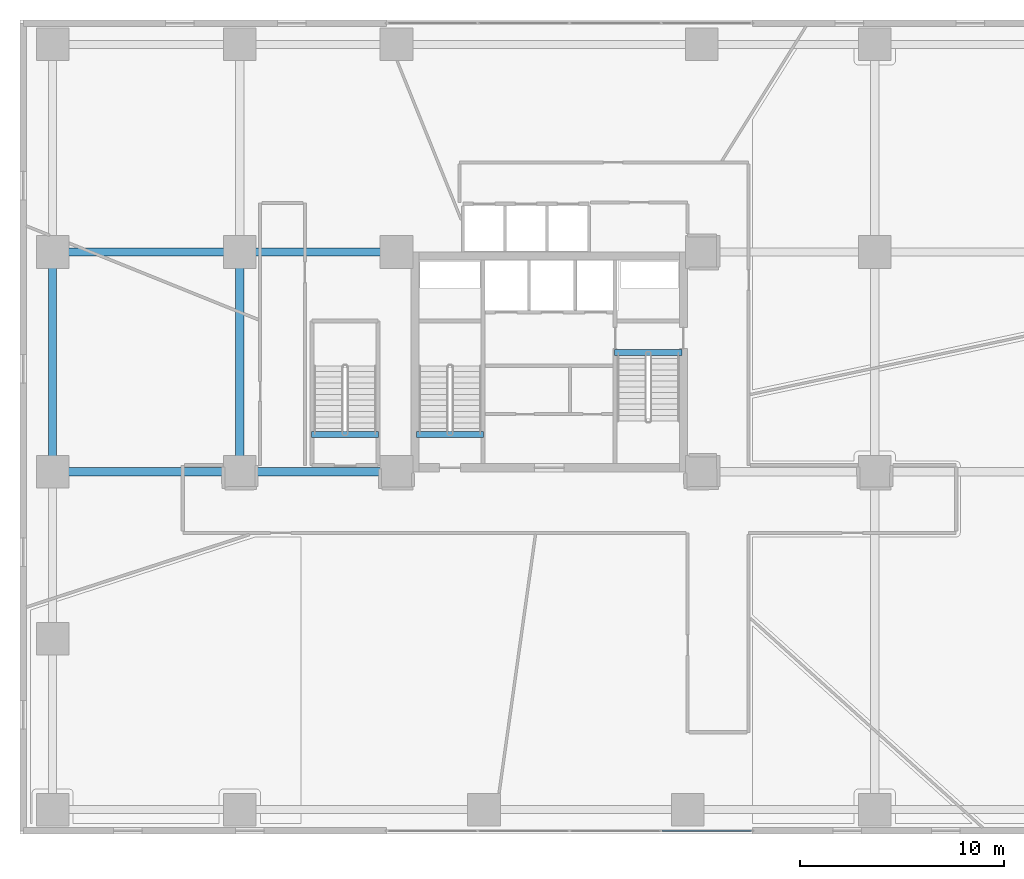
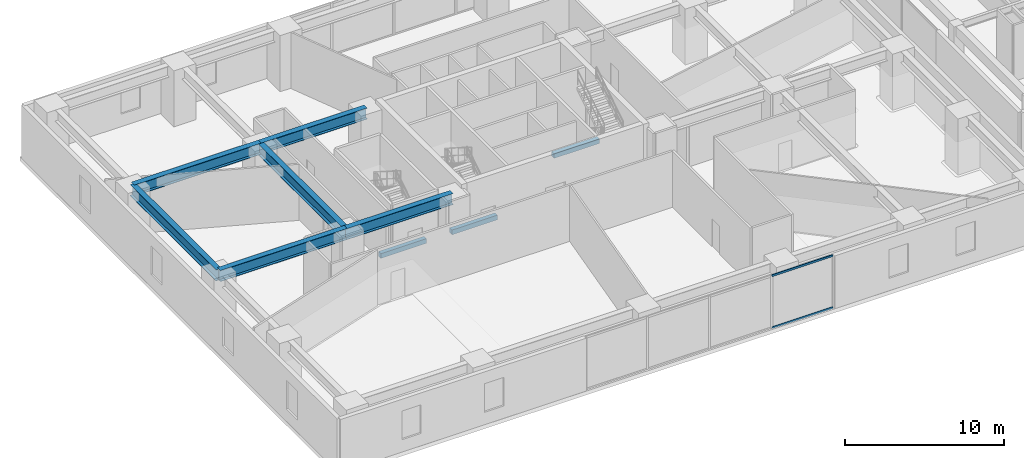
# One storey, part 4 of 24: 9 beams, 2 members, 1 element without a shape of its own.
"""IFC4 building model written with IfcOpenShell, lengths in metres."""

from ifc_helpers import new_model, si_unit, direction, frame, origin, origin_2d, place, context, subcontext, project, spatial, rectangle, hollow_rectangle, i_section, extrude, source, transform, mapped, material, layer, layer_set, material_profile, profile_set, type_object, type_shapes, element, aggregate, save


model = new_model("IFC4")

# Units and contexts
model_context = context("Model", 3, precision=1e-05, world=origin(), true_north=direction((0.0, 1.0)))
body_context = subcontext(model_context, "Body", "Model", "MODEL_VIEW")
ifc_project = project(units=[si_unit("LENGTHUNIT", "METRE"), si_unit("AREAUNIT", "SQUARE_METRE"), si_unit("VOLUMEUNIT", "CUBIC_METRE"), si_unit("PLANEANGLEUNIT", "RADIAN"), si_unit("MASSUNIT", "GRAM", prefix="KILO")], contexts=[model_context])

# Site, building, storey
site_placement = place(None, origin())
site = spatial("IfcSite", under=ifc_project, at=site_placement, CompositionType="ELEMENT")
building_placement = place(site_placement, origin())
building = spatial("IfcBuilding", under=site, at=building_placement, Name="Talar Marvaseh", CompositionType="ELEMENT")
storey_placement = place(building_placement, frame((0.0, 0.0, 9.800048828125)))
storey = spatial("IfcBuildingStorey", under=building, at=storey_placement, Name="L02", CompositionType="ELEMENT", Elevation=9.800048828125)

# Beams
ifc_material_1 = material(Name="Steel S355", Category="steel")
ifc_material_profile_1 = material_profile(ifc_material_1, i_section(OverallWidth=0.39990234375, OverallDepth=0.85498046875, WebThickness=0.018310546875, FlangeThickness=0.029296875, at=origin_2d()), Name="W840x299")
ifc_profile_set_1 = profile_set([ifc_material_profile_1], Name="Steel S355")
beam_type_1 = type_object("IfcBeamType", Name="Concourse Primary Girder W840x299", PredefinedType="BEAM", material=ifc_profile_set_1)
beam_1_placement = place(storey_placement, frame((1.60009765625, 25.800048828125, 3.87255859375), z_axis=(1.0, 0.0, 0.0), x_axis=(0.0, 1.0, 0.0)))
element("IfcBeam", 1, at=beam_1_placement, inside=storey, type_object=beam_type_1, Name="L02 Concourse Primary Girder W840x299", PredefinedType="BEAM", context=body_context, shape_type="SweptSolid", body=[
    extrude(i_section(OverallWidth=0.39990234375, OverallDepth=0.85498046875, WebThickness=0.018310546875, FlangeThickness=0.029296875, at=origin_2d()), origin(), (0.0, 0.0, 1.0), 9.199951171875),
])
beam_2_placement = place(storey_placement, frame((10.800048828125, 25.800048828125, 3.87255859375), z_axis=(1.0, 0.0, 0.0), x_axis=(0.0, 1.0, 0.0)))
element("IfcBeam", 2, at=beam_2_placement, inside=storey, type_object=beam_type_1, Name="L02 Concourse Primary Girder W840x299", PredefinedType="BEAM", context=body_context, shape_type="SweptSolid", body=[
    extrude(i_section(OverallWidth=0.39990234375, OverallDepth=0.85498046875, WebThickness=0.018310546875, FlangeThickness=0.029296875, at=origin_2d()), origin(), (0.0, 0.0, 1.0), 7.699951171875),
])
beam_3_placement = place(storey_placement, frame((1.60009765625, 36.60009765625, 3.87255859375), z_axis=(1.0, 0.0, 0.0), x_axis=(0.0, 1.0, 0.0)))
element("IfcBeam", 3, at=beam_3_placement, inside=storey, type_object=beam_type_1, Name="L02 Concourse Primary Girder W840x299", PredefinedType="BEAM", context=body_context, shape_type="SweptSolid", body=[
    extrude(i_section(OverallWidth=0.39990234375, OverallDepth=0.85498046875, WebThickness=0.018310546875, FlangeThickness=0.029296875, at=origin_2d()), origin(), (0.0, 0.0, 1.0), 9.199951171875),
])
beam_4_placement = place(storey_placement, frame((10.800048828125, 36.60009765625, 3.87255859375), z_axis=(1.0, 0.0, 0.0), x_axis=(0.0, 1.0, 0.0)))
element("IfcBeam", 4, at=beam_4_placement, inside=storey, type_object=beam_type_1, Name="L02 Concourse Primary Girder W840x299", PredefinedType="BEAM", context=body_context, shape_type="SweptSolid", body=[
    extrude(i_section(OverallWidth=0.39990234375, OverallDepth=0.85498046875, WebThickness=0.018310546875, FlangeThickness=0.029296875, at=origin_2d()), origin(), (0.0, 0.0, 1.0), 7.699951171875),
])
for number, where, z_axis, x_axis, name in (
    (5, (1.60009765625, 25.800048828125, 3.87255859375), (0.0, 1.0, 0.0), (-1.0, 0.0, 0.0), "L02 Concourse Primary Girder W840x299"),
    (6, (10.800048828125, 25.800048828125, 3.87255859375), (0.0, 1.0, 0.0), (-1.0, 0.0, 0.0), "L02 Concourse Primary Girder W840x299"),
):
    element("IfcBeam", number, at=place(storey_placement, frame(where, z_axis=z_axis, x_axis=x_axis)), inside=storey, type_object=beam_type_1, Name=name, PredefinedType="BEAM", context=body_context, shape_type="SweptSolid", body=[
        extrude(i_section(OverallWidth=0.39990234375, OverallDepth=0.85498046875, WebThickness=0.018310546875, FlangeThickness=0.029296875, at=origin_2d()), origin(), (0.0, 0.0, 1.0), 10.800048828125),
    ])
ifc_material_2 = material(Name="Concrete C40/50", Category="concrete")
ifc_material_profile_2 = material_profile(ifc_material_2, rectangle(XDim=0.300048828125, YDim=0.360107421875, at=origin_2d()), Name="RC300x360")
ifc_profile_set_2 = profile_set([ifc_material_profile_2], Name="Concrete C40/50")
beam_type_2 = type_object("IfcBeamType", Name="Concrete Stair Landing Trimmer Beam RC300x360", PredefinedType="SPANDREL", material=ifc_profile_set_2)
for number, where, z_axis, x_axis, name in (
    (7, (22.780029296875, 27.6298828125, -0.179931640625), (-1.0, 0.0, 0.0), (0.0, -1.0, 0.0), "L02 ST-1 Stair Nosing Trimmer Beam"),
    (8, (29.219970703125, 31.669921875, -0.179931640625), (1.0, 0.0, 0.0), (0.0, 1.0, 0.0), "L02 ST-2 Stair Nosing Trimmer Beam"),
    (9, (17.6201171875, 27.6298828125, -0.179931640625), (-1.0, 0.0, 0.0), (0.0, -1.0, 0.0), "L02 ST-3 Stair Nosing Trimmer Beam"),
):
    element("IfcBeam", number, at=place(storey_placement, frame(where, z_axis=z_axis, x_axis=x_axis)), inside=storey, type_object=beam_type_2, Name=name, PredefinedType="SPANDREL", context=body_context, shape_type="SweptSolid", body=[
        extrude(rectangle(XDim=0.300048828125, YDim=0.360107421875, at=origin_2d()), origin(), (0.0, 0.0, 1.0), 3.300048828125),
    ])

# Curtain wall, members
ifc_material_3 = material(Name="Architectural Aluminium", Category="aluminium")
ifc_layer = layer(ifc_material_3, 0.25)
ifc_layer_set = layer_set([ifc_layer], Name="Architectural Aluminium")
curtain_wall_type = type_object("IfcCurtainWallType", Name="Station Podium Monumental Iwan Curtain Wall", PredefinedType="NOTDEFINED", material=ifc_layer_set)
curtain_wall_placement = place(storey_placement, origin())
curtain_wall = element("IfcCurtainWall", 10, at=curtain_wall_placement, inside=storey, type_object=curtain_wall_type, Name="L02 Station Podium Monumental Iwan Curtain Wall", PredefinedType="NOTDEFINED")
ifc_material_profile_3 = material_profile(ifc_material_3, hollow_rectangle(XDim=0.06494140625, YDim=0.14990234375, WallThickness=0.00390625, at=origin_2d()), Name="RHS150x65x4")
ifc_profile_set_3 = profile_set([ifc_material_profile_3], Name="Architectural Aluminium")
member_type = type_object("IfcMemberType", Name="Unitised Curtain Wall Slim Transom RHS150x65x4", PredefinedType="USERDEFINED", material=ifc_profile_set_3)
shared_shape = source(origin(), body_context, "Body", "SweptSolid", [
    extrude(hollow_rectangle(XDim=0.06494140625, YDim=0.14990234375, WallThickness=0.00390625, at=origin_2d()), origin(), (0.0, 0.0, 1.0), 4.402587890625),
])
type_shapes(member_type, [shared_shape])
member_1_placement = place(storey_placement, frame((35.93505859375, 8.159912109375, 0.032470703125), z_axis=(-1.0, 0.0, 0.0), x_axis=(0.0, -1.0, 0.0)))
member_1 = element("IfcMember", 11, at=member_1_placement, type_object=member_type, Name="CW-POD transom 1.1", ObjectType="TRANSOM", PredefinedType="USERDEFINED", context=body_context, shape_type="MappedRepresentation", body=[
    mapped(shared_shape, transform((0.0, 0.0, 0.0), x_axis=(1.0, 0.0, 0.0), y_axis=(0.0, 1.0, 0.0), z_axis=(0.0, 0.0, 1.0), scale=1.0)),
])
member_2_placement = place(storey_placement, frame((35.93505859375, 8.159912109375, 4.017333984375), z_axis=(-1.0, 0.0, 0.0), x_axis=(0.0, -1.0, 0.0)))
member_2 = element("IfcMember", 12, at=member_2_placement, type_object=member_type, Name="CW-POD transom 1.2", ObjectType="TRANSOM", PredefinedType="USERDEFINED", context=body_context, shape_type="MappedRepresentation", body=[
    mapped(shared_shape, transform((0.0, 0.0, 0.0), x_axis=(1.0, 0.0, 0.0), y_axis=(0.0, 1.0, 0.0), z_axis=(0.0, 0.0, 1.0), scale=1.0)),
])
aggregate(curtain_wall, [member_1, member_2])

save(model, "model.ifc")
